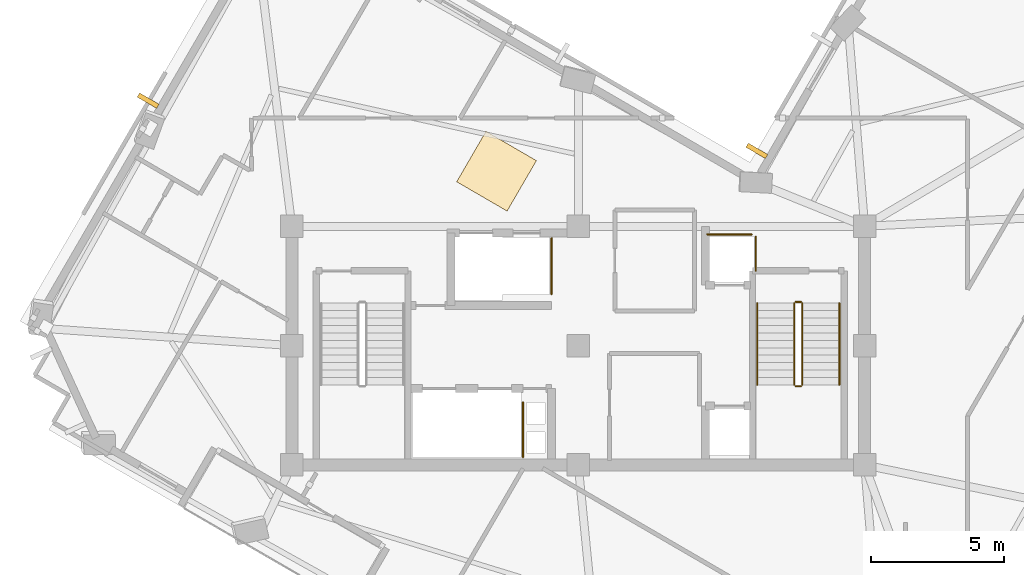
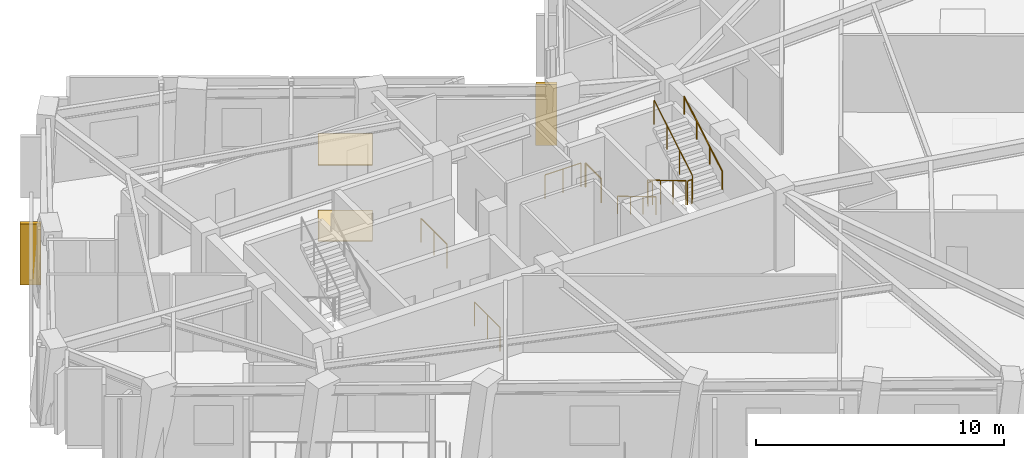
# One storey, part 10 of 12: 10 railings, 2 coverings, 2 shading devices.
"""IFC4 building model written with IfcOpenShell, lengths in metres."""

from ifc_helpers import new_model, si_unit, direction, frame, origin, origin_2d, place, context, subcontext, project, spatial, rectangle, circle, extrude, material, layer, layer_set, type_object, element, save


model = new_model("IFC4")

# Units and contexts
model_context = context("Model", 3, precision=1e-05, world=origin(), true_north=direction((0.0, 1.0)))
body_context = subcontext(model_context, "Body", "Model", "MODEL_VIEW")
ifc_project = project(units=[si_unit("LENGTHUNIT", "METRE"), si_unit("AREAUNIT", "SQUARE_METRE"), si_unit("VOLUMEUNIT", "CUBIC_METRE"), si_unit("PLANEANGLEUNIT", "RADIAN"), si_unit("MASSUNIT", "GRAM", prefix="KILO")], contexts=[model_context])

# Site, building, storey
site_placement = place(None, origin())
site = spatial("IfcSite", under=ifc_project, at=site_placement, CompositionType="ELEMENT")
building_placement = place(site_placement, origin())
building = spatial("IfcBuilding", under=site, at=building_placement, Name="Gaonmaruhae Medical Tower", CompositionType="ELEMENT")
storey_placement = place(building_placement, frame((0.0, 0.0, 280.60009765625)))
storey = spatial("IfcBuildingStorey", under=building, at=storey_placement, Name="L67", CompositionType="ELEMENT", Elevation=280.60009765625)

# Coverings
ifc_material_1 = material(Name="Acoustic mineral ceiling tile", Category="finish")
ifc_layer_1 = layer(ifc_material_1, 0.02490234375)
ifc_layer_set_1 = layer_set([ifc_layer_1], Name="Acoustic mineral ceiling tile")
covering_type_1 = type_object("IfcCoveringType", Name="CLG-01 Antimicrobial Acoustic Mineral Ceiling", PredefinedType="CEILING", material=ifc_layer_set_1)
covering_1_placement = place(storey_placement, frame((21.71923828125, 18.877685546875, 3.7548828125), z_axis=(0.0, 0.0, 1.0), x_axis=(0.502265533143, 0.86471344052, 0.0)))
element("IfcCovering", 1, at=covering_1_placement, inside=storey, type_object=covering_type_1, Name="L67 Clinical Corridor Acoustic Ceiling", PredefinedType="CEILING", context=body_context, shape_type="SweptSolid", body=[
    extrude(rectangle(XDim=2.199951171875, YDim=2.199951171875, at=origin_2d()), origin(), (0.0, 0.0, 1.0), 0.02490234375),
])
ifc_material_2 = material(Name="Seamless clinical vinyl flooring", Category="finish")
ifc_layer_2 = layer(ifc_material_2, 0.014892578125)
ifc_layer_set_2 = layer_set([ifc_layer_2], Name="Seamless clinical vinyl flooring")
covering_type_2 = type_object("IfcCoveringType", Name="FLR-01 Seamless Clinical Antistatic Vinyl Flooring", PredefinedType="FLOORING", material=ifc_layer_set_2)
covering_2_placement = place(storey_placement, frame((21.71923828125, 18.877685546875, 0.00048828125), z_axis=(0.0, 0.0, 1.0), x_axis=(0.502265533143, 0.86471344052, 0.0)))
element("IfcCovering", 2, at=covering_2_placement, inside=storey, type_object=covering_type_2, Name="L67 Clinical Corridor Vinyl Flooring", PredefinedType="FLOORING", context=body_context, shape_type="SweptSolid", body=[
    extrude(rectangle(XDim=2.199951171875, YDim=2.199951171875, at=origin_2d()), origin(), (0.0, 0.0, 1.0), 0.014892578125),
])

# Railings
ifc_material_3 = material(Name="Stainless steel 304 handrail", Category="steel")
railing_type_1 = type_object("IfcRailingType", Name="HR-092 Continuous Stainless Steel Stair Handrail", PredefinedType="HANDRAIL", material=ifc_material_3)
railing_1_placement = place(storey_placement, frame((31.550048828125, 13.89990234375, 0.16650390625)))
element("IfcRailing", 3, at=railing_1_placement, inside=storey, type_object=railing_type_1, Name="L67 ST-02 stair handrail 1", PredefinedType="HANDRAIL", context=body_context, shape_type="SweptSolid", body=[
    extrude(circle(Radius=0.02392578125, at=origin_2d()), frame((0.0, 0.0, 0.8759765625), z_axis=(0.0, -0.859260807169, 0.511537745687), x_axis=(1.0, 0.0, 0.0)), (0.0, 0.0, 1.0), 3.584228515625),
    extrude(circle(Radius=0.02099609375, at=origin_2d()), origin(), (0.0, 0.0, 1.0), 0.851806640625),
    extrude(circle(Radius=0.02099609375, at=origin_2d()), frame((0.0, -1.026611328125, 0.611083984375)), (0.0, 0.0, 1.0), 0.851806640625),
    extrude(circle(Radius=0.02099609375, at=origin_2d()), frame((0.0, -2.05322265625, 1.222412109375)), (0.0, 0.0, 1.0), 0.851806640625),
    extrude(circle(Radius=0.02099609375, at=origin_2d()), frame((0.0, -3.079833984375, 1.83349609375)), (0.0, 0.0, 1.0), 0.851806640625),
])
railing_2_placement = place(storey_placement, frame((34.64990234375, 10.820068359375, 2.16650390625)))
element("IfcRailing", 4, at=railing_2_placement, inside=storey, type_object=railing_type_1, Name="L67 ST-02 stair handrail 2", PredefinedType="HANDRAIL", context=body_context, shape_type="SweptSolid", body=[
    extrude(circle(Radius=0.02392578125, at=origin_2d()), frame((0.0, 0.0, 0.8759765625), z_axis=(0.0, 0.859260807169, 0.511537745687), x_axis=(-1.0, 0.0, 0.0)), (0.0, 0.0, 1.0), 3.584228515625),
    extrude(circle(Radius=0.02099609375, at=origin_2d()), origin(), (0.0, 0.0, 1.0), 0.851806640625),
    extrude(circle(Radius=0.02099609375, at=origin_2d()), frame((0.0, 1.026611328125, 0.611083984375)), (0.0, 0.0, 1.0), 0.851806640625),
    extrude(circle(Radius=0.02099609375, at=origin_2d()), frame((0.0, 2.05322265625, 1.222412109375)), (0.0, 0.0, 1.0), 0.851806640625),
    extrude(circle(Radius=0.02099609375, at=origin_2d()), frame((0.0, 3.079833984375, 1.83349609375)), (0.0, 0.0, 1.0), 0.851806640625),
])

# Shading devices
ifc_material_4 = material(Name="Pigmented coral precast concrete C45/55", Category="concrete")
shading_device_type = type_object("IfcShadingDeviceType", Name="SD-FIN1 Tower Vertical Coral Precast Shading Fin", PredefinedType="USERDEFINED", material=ifc_material_4)
for number, where, z_axis, x_axis, name in (
    (5, (31.536376953125, 19.64453125, 0.13232421875), (0.0, 0.0, 1.0), (0.502265533143, 0.86471344052, 0.0), "L67 Vertical Coral Precast Shading Fin EN02"),
    (6, (8.581787109375, 21.537841796875, 0.13232421875), (0.0, 0.0, 1.0), (0.502265533143, 0.86471344052, 0.0), "L67 Vertical Coral Precast Shading Fin N01"),
):
    element("IfcShadingDevice", number, at=place(storey_placement, frame(where, z_axis=z_axis, x_axis=x_axis)), inside=storey, type_object=shading_device_type, Name=name, ObjectType="FIN", PredefinedType="USERDEFINED", context=body_context, shape_type="SweptSolid", body=[
        extrude(rectangle(XDim=0.179931640625, YDim=0.85009765625, at=origin_2d()), origin(), (0.0, 0.0, 1.0), 3.0),
    ])

# Railings
ifc_material_5 = material(Name="Stainless steel 304 balustrade", Category="steel")
railing_type_2 = type_object("IfcRailingType", Name="SG-112 Stair Well & Ramp Void Safety Balustrade", PredefinedType="BALUSTRADE", material=ifc_material_5)
railing_3_placement = place(storey_placement, frame((32.949951171875, 13.89990234375, 0.16650390625)))
element("IfcRailing", 7, at=railing_3_placement, inside=storey, type_object=railing_type_2, Name="L67 ST-02 stair guard 1", PredefinedType="BALUSTRADE", context=body_context, shape_type="SweptSolid", body=[
    extrude(circle(Radius=0.02392578125, at=origin_2d()), frame((0.0, 0.0, 1.17578125), z_axis=(0.0, -0.859260807169, 0.511537745687), x_axis=(1.0, 0.0, 0.0)), (0.0, 0.0, 1.0), 3.584228515625),
    extrude(circle(Radius=0.02099609375, at=origin_2d()), origin(), (0.0, 0.0, 1.0), 1.15185546875),
    extrude(circle(Radius=0.02099609375, at=origin_2d()), frame((0.0, -1.026611328125, 0.611083984375)), (0.0, 0.0, 1.0), 1.15185546875),
    extrude(circle(Radius=0.02099609375, at=origin_2d()), frame((0.0, -2.05322265625, 1.222412109375)), (0.0, 0.0, 1.0), 1.15185546875),
    extrude(circle(Radius=0.02099609375, at=origin_2d()), frame((0.0, -3.079833984375, 1.83349609375)), (0.0, 0.0, 1.0), 1.15185546875),
])
railing_4_placement = place(storey_placement, frame((33.0, 10.77001953125, 2.0)))
element("IfcRailing", 8, at=railing_4_placement, inside=storey, type_object=railing_type_2, Name="L67 ST-02 stair guard 2", PredefinedType="BALUSTRADE", context=body_context, shape_type="SweptSolid", body=[
    extrude(circle(Radius=0.02392578125, at=origin_2d()), frame((0.0, 0.0, 1.17578125), z_axis=(1.0, 0.0, 0.0), x_axis=(0.0, 1.0, 0.0)), (0.0, 0.0, 1.0), 0.199951171875),
    extrude(circle(Radius=0.02099609375, at=origin_2d()), origin(), (0.0, 0.0, 1.0), 1.15185546875),
    extrude(circle(Radius=0.02099609375, at=origin_2d()), frame((0.199951171875, 0.0, 0.0)), (0.0, 0.0, 1.0), 1.15185546875),
])
railing_5_placement = place(storey_placement, frame((33.25, 10.820068359375, 2.16650390625)))
element("IfcRailing", 9, at=railing_5_placement, inside=storey, type_object=railing_type_2, Name="L67 ST-02 stair guard 3", PredefinedType="BALUSTRADE", context=body_context, shape_type="SweptSolid", body=[
    extrude(circle(Radius=0.02392578125, at=origin_2d()), frame((0.0, 0.0, 1.17578125), z_axis=(0.0, 0.859260807169, 0.511537745687), x_axis=(-1.0, 0.0, 0.0)), (0.0, 0.0, 1.0), 3.584228515625),
    extrude(circle(Radius=0.02099609375, at=origin_2d()), origin(), (0.0, 0.0, 1.0), 1.15185546875),
    extrude(circle(Radius=0.02099609375, at=origin_2d()), frame((0.0, 1.026611328125, 0.611083984375)), (0.0, 0.0, 1.0), 1.15185546875),
    extrude(circle(Radius=0.02099609375, at=origin_2d()), frame((0.0, 2.05322265625, 1.222412109375)), (0.0, 0.0, 1.0), 1.15185546875),
    extrude(circle(Radius=0.02099609375, at=origin_2d()), frame((0.0, 3.079833984375, 1.83349609375)), (0.0, 0.0, 1.0), 1.15185546875),
])
railing_6_placement = place(storey_placement, frame((33.0, 13.949951171875, 0.0)))
element("IfcRailing", 10, at=railing_6_placement, inside=storey, type_object=railing_type_2, Name="L67 ST-02 stair guard 4", PredefinedType="BALUSTRADE", context=body_context, shape_type="SweptSolid", body=[
    extrude(circle(Radius=0.02392578125, at=origin_2d()), frame((0.0, 0.0, 1.17578125), z_axis=(1.0, 0.0, 0.0), x_axis=(0.0, 1.0, 0.0)), (0.0, 0.0, 1.0), 0.199951171875),
    extrude(circle(Radius=0.02099609375, at=origin_2d()), origin(), (0.0, 0.0, 1.0), 1.15185546875),
    extrude(circle(Radius=0.02099609375, at=origin_2d()), frame((0.199951171875, 0.0, 0.0)), (0.0, 0.0, 1.0), 1.15185546875),
])
railing_7_placement = place(storey_placement, frame((22.719970703125, 10.159912109375, 0.0)))
element("IfcRailing", 11, at=railing_7_placement, inside=storey, type_object=railing_type_2, Name="L67 Shaft Edge Safety Guard 08", PredefinedType="BALUSTRADE", context=body_context, shape_type="SweptSolid", body=[
    extrude(circle(Radius=0.02392578125, at=origin_2d()), frame((0.0, 0.0, 1.17578125), z_axis=(0.0, -1.0, 0.0), x_axis=(1.0, 0.0, 0.0)), (0.0, 0.0, 1.0), 2.06494140625),
    extrude(circle(Radius=0.02099609375, at=origin_2d()), origin(), (0.0, 0.0, 1.0), 1.15185546875),
    extrude(circle(Radius=0.02099609375, at=origin_2d()), frame((0.0, -1.032470703125, 0.0)), (0.0, 0.0, 1.0), 1.15185546875),
    extrude(circle(Radius=0.02099609375, at=origin_2d()), frame((0.0, -2.06494140625, 0.0)), (0.0, 0.0, 1.0), 1.15185546875),
])
railing_8_placement = place(storey_placement, frame((23.794921875, 16.35498046875, 0.0)))
element("IfcRailing", 12, at=railing_8_placement, inside=storey, type_object=railing_type_2, Name="L67 Shaft Edge Safety Guard 09", PredefinedType="BALUSTRADE", context=body_context, shape_type="SweptSolid", body=[
    extrude(circle(Radius=0.02392578125, at=origin_2d()), frame((0.0, 0.0, 1.17578125), z_axis=(0.0, -1.0, 0.0), x_axis=(1.0, 0.0, 0.0)), (0.0, 0.0, 1.0), 2.10986328125),
    extrude(circle(Radius=0.02099609375, at=origin_2d()), origin(), (0.0, 0.0, 1.0), 1.15185546875),
    extrude(circle(Radius=0.02099609375, at=origin_2d()), frame((0.0, -1.054931640625, 0.0)), (0.0, 0.0, 1.0), 1.15185546875),
    extrude(circle(Radius=0.02099609375, at=origin_2d()), frame((0.0, -2.10986328125, 0.0)), (0.0, 0.0, 1.0), 1.15185546875),
])
railing_9_placement = place(storey_placement, frame((31.4951171875, 16.405029296875, 0.0)))
element("IfcRailing", 13, at=railing_9_placement, inside=storey, type_object=railing_type_2, Name="L67 Shaft Edge Safety Guard 10", PredefinedType="BALUSTRADE", context=body_context, shape_type="SweptSolid", body=[
    extrude(circle(Radius=0.02392578125, at=origin_2d()), frame((0.0, 0.0, 1.17578125), z_axis=(0.0, -1.0, 0.0), x_axis=(1.0, 0.0, 0.0)), (0.0, 0.0, 1.0), 1.284912109375),
    extrude(circle(Radius=0.02099609375, at=origin_2d()), origin(), (0.0, 0.0, 1.0), 1.15185546875),
    extrude(circle(Radius=0.02099609375, at=origin_2d()), frame((0.0, -1.284912109375, 0.0)), (0.0, 0.0, 1.0), 1.15185546875),
])
railing_10_placement = place(storey_placement, frame((29.6630859375, 16.4951171875, 0.0)))
element("IfcRailing", 14, at=railing_10_placement, inside=storey, type_object=railing_type_2, Name="L67 Shaft Edge Safety Guard 11", PredefinedType="BALUSTRADE", context=body_context, shape_type="SweptSolid", body=[
    extrude(circle(Radius=0.02392578125, at=origin_2d()), frame((0.0, 0.0, 1.17578125), z_axis=(1.0, 0.0, 0.0), x_axis=(0.0, 1.0, 0.0)), (0.0, 0.0, 1.0), 1.673828125),
    extrude(circle(Radius=0.02099609375, at=origin_2d()), origin(), (0.0, 0.0, 1.0), 1.15185546875),
    extrude(circle(Radius=0.02099609375, at=origin_2d()), frame((0.8369140625, 0.0, 0.0)), (0.0, 0.0, 1.0), 1.15185546875),
    extrude(circle(Radius=0.02099609375, at=origin_2d()), frame((1.673828125, 0.0, 0.0)), (0.0, 0.0, 1.0), 1.15185546875),
])

save(model, "model.ifc")
